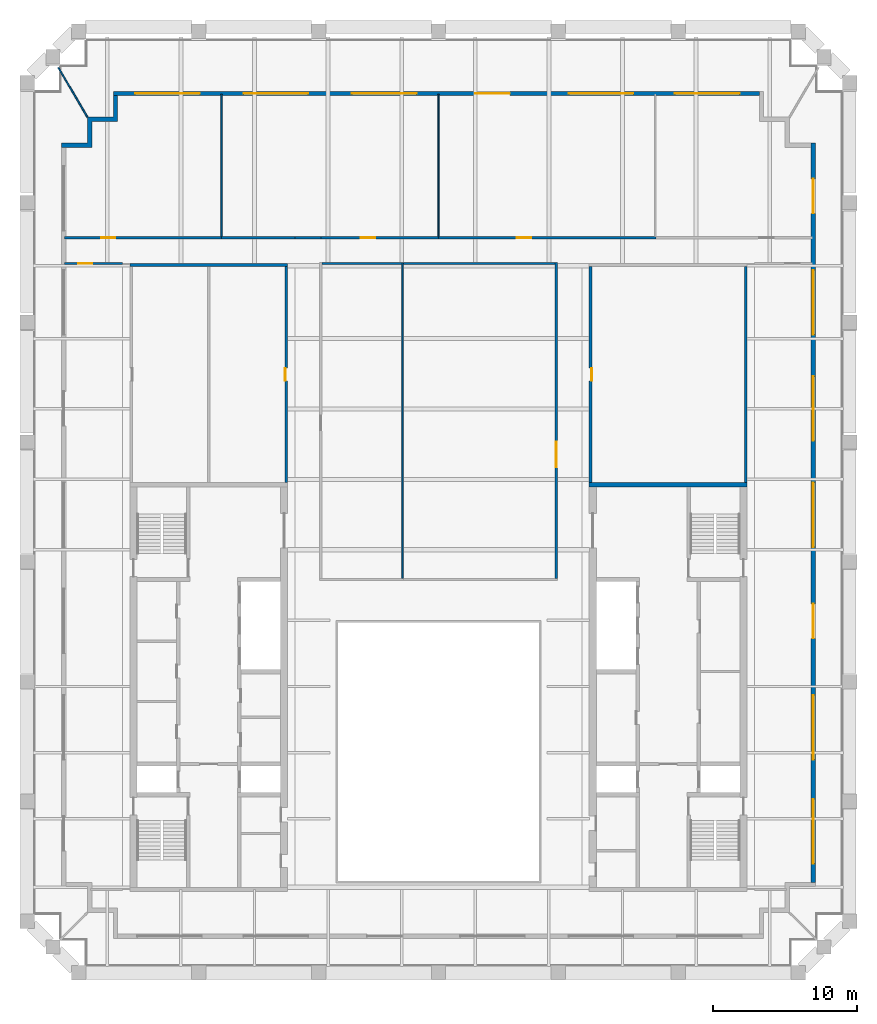
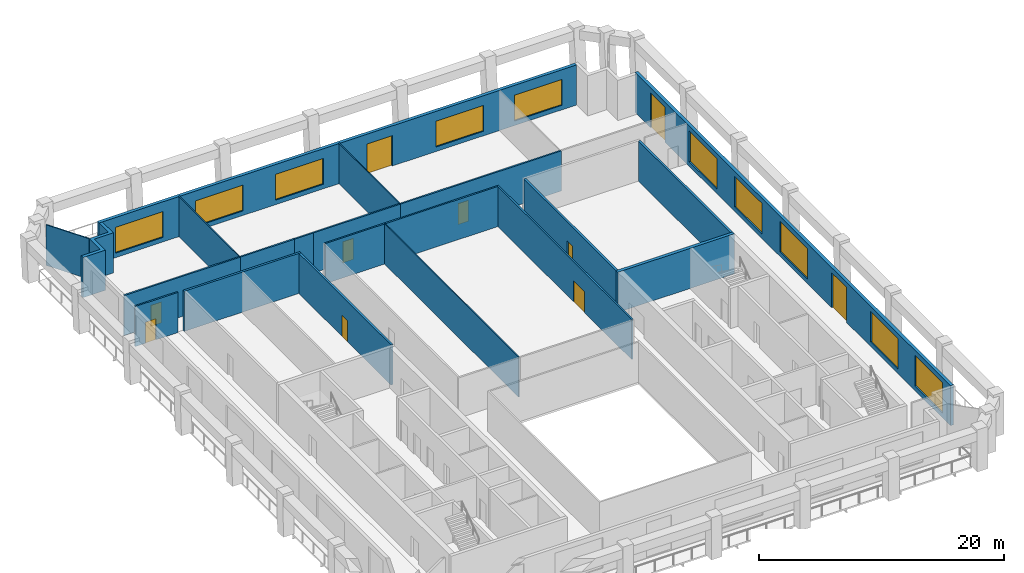
# One storey, part 5 of 7: 21 walls, 10 doors, 10 windows, 20 openings.
"""IFC4 building model written with IfcOpenShell, lengths in metres."""

from ifc_helpers import new_model, si_unit, direction, frame, frame_2d, origin, place, context, subcontext, project, spatial, polyline, rectangle, outline, extrude, material, layer, layer_set, type_object, element, fill, save


model = new_model("IFC4")

# Units and contexts
model_context = context("Model", 3, precision=1e-05, world=origin(), true_north=direction((0.0, 1.0)))
body_context = subcontext(model_context, "Body", "Model", "MODEL_VIEW")
ifc_project = project(units=[si_unit("LENGTHUNIT", "METRE"), si_unit("AREAUNIT", "SQUARE_METRE"), si_unit("VOLUMEUNIT", "CUBIC_METRE"), si_unit("PLANEANGLEUNIT", "RADIAN"), si_unit("MASSUNIT", "GRAM", prefix="KILO")], contexts=[model_context])

# Site, building, storey
site_placement = place(None, origin())
site = spatial("IfcSite", under=ifc_project, at=site_placement, CompositionType="ELEMENT")
building_placement = place(site_placement, origin())
building = spatial("IfcBuilding", under=site, at=building_placement, Name="Ogive Exchange Tower", CompositionType="ELEMENT")
storey_placement = place(building_placement, frame((0.0, 0.0, 321.60009765625)))
storey = spatial("IfcBuildingStorey", under=building, at=storey_placement, Name="L70", CompositionType="ELEMENT", Elevation=321.60009765625)

# Wall, opening, door
ifc_material_1 = material(Name="Fire partition EI 60 150")
ifc_layer_1 = layer(ifc_material_1, 0.14990234375)
ifc_layer_set_1 = layer_set([ifc_layer_1], Name="Fire partition EI 60 150")
wall_type_1 = type_object("IfcWallType", Name="Fire partition EI 60 150", PredefinedType="PARTITIONING", material=ifc_layer_set_1)
wall_1_placement = place(storey_placement, frame((-26.050048828125, 42.800048828125, 0.0), z_axis=(0.0, 0.0, 1.0), x_axis=(1.0, 0.0, 0.0)))
wall_1 = element("IfcWall", 1, at=wall_1_placement, inside=storey, type_object=wall_type_1, Name="L70-PWL-001", PredefinedType="PARTITIONING", context=body_context, shape_type="SweptSolid", body=[
    extrude(rectangle(XDim=11.0, YDim=0.14990234375, at=frame_2d((5.5, 0.0))), origin(), (0.0, 0.0, 1.0), 4.0),
])
opening_1_placement = place(wall_1_placement, frame((2.550048828125, 0.0, 0.0)))
opening_1 = element("IfcOpeningElement", 2, at=opening_1_placement, cuts=wall_1, Name="Opening L70-I04", PredefinedType="OPENING", context=body_context, shape_type="SweptSolid", body=[
    extrude(rectangle(XDim=1.0, YDim=2.10009765625, at=frame_2d((0.5, 1.050048828125))), frame((0.0, 0.0849609375, 0.0), z_axis=(0.0, -1.0, 0.0), x_axis=(1.0, 0.0, 0.0)), (0.0, 0.0, 1.0), 0.169921875),
])
ifc_material_2 = material(Name="Fire door FD 30S 1000 x 2100")
door_type_1 = type_object("IfcDoorType", Name="Fire door FD 30S 1000 x 2100", OperationType="NOTDEFINED", PredefinedType="DOOR", material=ifc_material_2)
door_1_placement = place(opening_1_placement, origin())
door_1 = element("IfcDoor", 3, at=door_1_placement, inside=storey, type_object=door_type_1, Name="L70-IDR-004", ObjectType="DT3", OperationType="SINGLE_SWING_RIGHT", OverallHeight=2.10009765625, OverallWidth=1.0, PredefinedType="DOOR", context=body_context, shape_type="SweptSolid", body=[
    extrude(rectangle(XDim=1.0, YDim=2.10009765625, at=frame_2d((0.5, 1.050048828125))), frame((0.0, 0.02490234375, 0.0), z_axis=(0.0, -1.0, 0.0), x_axis=(1.0, 0.0, 0.0)), (0.0, 0.0, 1.0), 0.050048828125),
])
fill(opening_1, door_1)

wall_2_placement = place(storey_placement, frame((-22.0, 41.0, 0.0), z_axis=(0.0, 0.0, 1.0), x_axis=(-1.0, 0.0, 0.0)))
wall_2 = element("IfcWall", 4, at=wall_2_placement, inside=storey, type_object=wall_type_1, Name="L70-PWL-003", PredefinedType="PARTITIONING", context=body_context, shape_type="SweptSolid", body=[
    extrude(rectangle(XDim=4.050048828125, YDim=0.14990234375, at=frame_2d((2.02490234375, 0.0))), origin(), (0.0, 0.0, 1.0), 4.0),
])
opening_2_placement = place(wall_2_placement, frame((2.10009765625, 0.0, 0.0)))
opening_2 = element("IfcOpeningElement", 5, at=opening_2_placement, cuts=wall_2, Name="Opening L70-I07", PredefinedType="OPENING", context=body_context, shape_type="SweptSolid", body=[
    extrude(rectangle(XDim=1.0, YDim=2.10009765625, at=frame_2d((0.5, 1.050048828125))), frame((0.0, 0.0849609375, 0.0), z_axis=(0.0, -1.0, 0.0), x_axis=(1.0, 0.0, 0.0)), (0.0, 0.0, 1.0), 0.169921875),
])
door_2_placement = place(opening_2_placement, origin())
door_2 = element("IfcDoor", 6, at=door_2_placement, inside=storey, type_object=door_type_1, Name="L70-IDR-007", ObjectType="DT3", OperationType="SINGLE_SWING_LEFT", OverallHeight=2.10009765625, OverallWidth=1.0, PredefinedType="DOOR", context=body_context, shape_type="SweptSolid", body=[
    extrude(rectangle(XDim=1.0, YDim=2.10009765625, at=frame_2d((0.5, 1.050048828125))), frame((0.0, 0.02490234375, 0.0), z_axis=(0.0, -1.0, 0.0), x_axis=(1.0, 0.0, 0.0)), (0.0, 0.0, 1.0), 0.050048828125),
])
fill(opening_2, door_2)

# Walls
wall_3_placement = place(storey_placement, frame((-15.10009765625, 42.800048828125, 0.0), z_axis=(0.0, 0.0, 1.0), x_axis=(1.0, 0.0, 0.0)))
element("IfcWall", 7, at=wall_3_placement, inside=storey, type_object=wall_type_1, Name="L70-PWL-005", PredefinedType="PARTITIONING", context=body_context, shape_type="SweptSolid", body=[
    extrude(rectangle(XDim=5.10009765625, YDim=0.14990234375, at=frame_2d((2.550048828125, 0.0))), origin(), (0.0, 0.0, 1.0), 4.0),
])
wall_4_placement = place(storey_placement, frame((-10.0, 42.800048828125, 0.0), z_axis=(0.0, 0.0, 1.0), x_axis=(1.0, 0.0, 0.0)))
element("IfcWall", 8, at=wall_4_placement, inside=storey, type_object=wall_type_1, Name="L70-PWL-006", PredefinedType="PARTITIONING", context=body_context, shape_type="SweptSolid", body=[
    extrude(rectangle(XDim=1.800048828125, YDim=0.14990234375, at=frame_2d((0.89990234375, 0.0))), origin(), (0.0, 0.0, 1.0), 4.0),
])

# Wall, opening, door
wall_5_placement = place(storey_placement, frame((-8.199951171875, 42.800048828125, 0.0), z_axis=(0.0, 0.0, 1.0), x_axis=(1.0, 0.0, 0.0)))
wall_5 = element("IfcWall", 9, at=wall_5_placement, inside=storey, type_object=wall_type_1, Name="L70-PWL-009", PredefinedType="PARTITIONING", context=body_context, shape_type="SweptSolid", body=[
    extrude(rectangle(XDim=8.199951171875, YDim=0.14990234375, at=frame_2d((4.10009765625, 0.0))), origin(), (0.0, 0.0, 1.0), 4.0),
])
opening_3_placement = place(wall_5_placement, frame((2.800048828125, 0.0, 0.0)))
opening_3 = element("IfcOpeningElement", 10, at=opening_3_placement, cuts=wall_5, Name="Opening L70-I03", PredefinedType="OPENING", context=body_context, shape_type="SweptSolid", body=[
    extrude(rectangle(XDim=1.0, YDim=2.10009765625, at=frame_2d((0.5, 1.050048828125))), frame((0.0, 0.0849609375, 0.0), z_axis=(0.0, -1.0, 0.0), x_axis=(1.0, 0.0, 0.0)), (0.0, 0.0, 1.0), 0.169921875),
])
door_3_placement = place(opening_3_placement, origin())
door_3 = element("IfcDoor", 11, at=door_3_placement, inside=storey, type_object=door_type_1, Name="L70-IDR-003", ObjectType="DT3", OperationType="SINGLE_SWING_LEFT", OverallHeight=2.10009765625, OverallWidth=1.0, PredefinedType="DOOR", context=body_context, shape_type="SweptSolid", body=[
    extrude(rectangle(XDim=1.0, YDim=2.10009765625, at=frame_2d((0.5, 1.050048828125))), frame((0.0, 0.02490234375, 0.0), z_axis=(0.0, -1.0, 0.0), x_axis=(1.0, 0.0, 0.0)), (0.0, 0.0, 1.0), 0.050048828125),
])
fill(opening_3, door_3)

# Wall
wall_6_placement = place(storey_placement, frame((-2.550048828125, 41.0, 0.0), z_axis=(0.0, 0.0, 1.0), x_axis=(-1.0, 0.0, 0.0)))
element("IfcWall", 12, at=wall_6_placement, inside=storey, type_object=wall_type_1, Name="L70-PWL-012", PredefinedType="PARTITIONING", context=body_context, shape_type="SweptSolid", body=[
    extrude(rectangle(XDim=5.574951171875, YDim=0.14990234375, at=frame_2d((2.78759765625, 0.0))), origin(), (0.0, 0.0, 1.0), 4.0),
])

# Wall, opening, door
wall_7_placement = place(storey_placement, frame((0.0, 42.800048828125, 0.0), z_axis=(0.0, 0.0, 1.0), x_axis=(1.0, 0.0, 0.0)))
wall_7 = element("IfcWall", 13, at=wall_7_placement, inside=storey, type_object=wall_type_1, Name="L70-PWL-014", PredefinedType="PARTITIONING", context=body_context, shape_type="SweptSolid", body=[
    extrude(rectangle(XDim=15.14990234375, YDim=0.14990234375, at=frame_2d((7.574951171875, 0.0))), origin(), (0.0, 0.0, 1.0), 4.0),
])
opening_4_placement = place(wall_7_placement, frame((5.449951171875, 0.0, 0.0)))
opening_4 = element("IfcOpeningElement", 14, at=opening_4_placement, cuts=wall_7, Name="Opening L70-I01", PredefinedType="OPENING", context=body_context, shape_type="SweptSolid", body=[
    extrude(rectangle(XDim=1.0, YDim=2.10009765625, at=frame_2d((0.5, 1.050048828125))), frame((0.0, 0.0849609375, 0.0), z_axis=(0.0, -1.0, 0.0), x_axis=(1.0, 0.0, 0.0)), (0.0, 0.0, 1.0), 0.169921875),
])
door_4_placement = place(opening_4_placement, origin())
door_4 = element("IfcDoor", 15, at=door_4_placement, inside=storey, type_object=door_type_1, Name="L70-IDR-001", ObjectType="DT3", OperationType="SINGLE_SWING_LEFT", OverallHeight=2.10009765625, OverallWidth=1.0, PredefinedType="DOOR", context=body_context, shape_type="SweptSolid", body=[
    extrude(rectangle(XDim=1.0, YDim=2.10009765625, at=frame_2d((0.5, 1.050048828125))), frame((0.0, 0.02490234375, 0.0), z_axis=(0.0, -1.0, 0.0), x_axis=(1.0, 0.0, 0.0)), (0.0, 0.0, 1.0), 0.050048828125),
])
fill(opening_4, door_4)

wall_8_placement = place(storey_placement, frame((8.199951171875, 19.074951171875, 0.0), z_axis=(0.0, 0.0, 1.0), x_axis=(0.0, 1.0, 0.0)))
wall_8 = element("IfcWall", 16, at=wall_8_placement, inside=storey, type_object=wall_type_1, Name="L70-PWL-015", PredefinedType="PARTITIONING", context=body_context, shape_type="SweptSolid", body=[
    extrude(rectangle(XDim=22.0, YDim=0.14990234375, at=frame_2d((11.0, 0.0))), origin(), (0.0, 0.0, 1.0), 4.0),
])
opening_5_placement = place(wall_8_placement, frame((7.72509765625, 0.0, 0.0)))
opening_5 = element("IfcOpeningElement", 17, at=opening_5_placement, cuts=wall_8, Name="Opening L70-I05", PredefinedType="OPENING", context=body_context, shape_type="SweptSolid", body=[
    extrude(rectangle(XDim=1.800048828125, YDim=2.10009765625, at=frame_2d((0.89990234375, 1.050048828125))), frame((0.0, 0.0849609375, 0.0), z_axis=(0.0, -1.0, 0.0), x_axis=(1.0, 0.0, 0.0)), (0.0, 0.0, 1.0), 0.169921875),
])
ifc_material_3 = material(Name="Fire door FD 30S 1800 x 2100")
door_type_2 = type_object("IfcDoorType", Name="Fire door FD 30S 1800 x 2100", OperationType="DOUBLE_DOOR_SINGLE_SWING", PredefinedType="DOOR", material=ifc_material_3)
door_5_placement = place(opening_5_placement, origin())
door_5 = element("IfcDoor", 18, at=door_5_placement, inside=storey, type_object=door_type_2, Name="L70-IDR-005", ObjectType="DT4", OperationType="SINGLE_SWING_RIGHT", OverallHeight=2.10009765625, OverallWidth=1.800048828125, PredefinedType="DOOR", context=body_context, shape_type="SweptSolid", body=[
    extrude(rectangle(XDim=1.800048828125, YDim=2.10009765625, at=frame_2d((0.89990234375, 1.050048828125))), frame((0.0, 0.02490234375, 0.0), z_axis=(0.0, -1.0, 0.0), x_axis=(1.0, 0.0, 0.0)), (0.0, 0.0, 1.0), 0.050048828125),
])
fill(opening_5, door_5)

# Wall
wall_9_placement = place(storey_placement, frame((8.125, 41.0, 0.0), z_axis=(0.0, 0.0, 1.0), x_axis=(-1.0, 0.0, 0.0)))
element("IfcWall", 19, at=wall_9_placement, inside=storey, type_object=wall_type_1, Name="L70-PWL-016", PredefinedType="PARTITIONING", context=body_context, shape_type="SweptSolid", body=[
    extrude(rectangle(XDim=10.574951171875, YDim=0.14990234375, at=frame_2d((5.28759765625, 0.0))), origin(), (0.0, 0.0, 1.0), 4.0),
])

# Wall, openings, doors, windows
ifc_material_4 = material(Name="Precast concrete C40/50", Category="concrete")
ifc_layer_2 = layer(ifc_material_4, 0.300048828125)
ifc_layer_set_2 = layer_set([ifc_layer_2], Name="Limestone-faced wall 300")
wall_type_2 = type_object("IfcWallType", Name="Limestone-faced wall 300", PredefinedType="STANDARD", material=ifc_layer_set_2)
wall_10_placement = place(storey_placement, frame((26.10009765625, -2.10009765625, 0.0), z_axis=(0.0, 0.0, 1.0), x_axis=(0.0, 1.0, 0.0)))
wall_10 = element("IfcWall", 20, at=wall_10_placement, inside=storey, type_object=wall_type_2, Name="External wall E2", PredefinedType="STANDARD", context=body_context, shape_type="SweptSolid", body=[
    extrude(rectangle(XDim=51.5, YDim=0.300048828125, at=frame_2d((25.75, 0.0))), origin(), (0.0, 0.0, 1.0), 4.0),
])
opening_6_placement = place(wall_10_placement, frame((1.300048828125, 0.0, 0.449951171875)))
opening_6 = element("IfcOpeningElement", 21, at=opening_6_placement, cuts=wall_10, Name="Opening W1", PredefinedType="OPENING", context=body_context, shape_type="SweptSolid", body=[
    extrude(rectangle(XDim=4.5, YDim=3.050048828125, at=frame_2d((2.25, 1.52490234375))), frame((0.0, 0.159912109375, 0.0), z_axis=(0.0, -1.0, 0.0), x_axis=(1.0, 0.0, 0.0)), (0.0, 0.0, 1.0), 0.320068359375),
])
opening_7_placement = place(wall_10_placement, frame((8.550048828125, 0.0, 0.449951171875)))
opening_7 = element("IfcOpeningElement", 22, at=opening_7_placement, cuts=wall_10, Name="Opening W1", PredefinedType="OPENING", context=body_context, shape_type="SweptSolid", body=[
    extrude(rectangle(XDim=4.5, YDim=3.050048828125, at=frame_2d((2.25, 1.52490234375))), frame((0.0, 0.159912109375, 0.0), z_axis=(0.0, -1.0, 0.0), x_axis=(1.0, 0.0, 0.0)), (0.0, 0.0, 1.0), 0.320068359375),
])
opening_8_placement = place(wall_10_placement, frame((17.0, 0.0, 0.0)))
opening_8 = element("IfcOpeningElement", 23, at=opening_8_placement, cuts=wall_10, Name="Opening D1", PredefinedType="OPENING", context=body_context, shape_type="SweptSolid", body=[
    extrude(rectangle(XDim=2.39990234375, YDim=3.5, at=frame_2d((1.199951171875, 1.75))), frame((0.0, 0.159912109375, 0.0), z_axis=(0.0, -1.0, 0.0), x_axis=(1.0, 0.0, 0.0)), (0.0, 0.0, 1.0), 0.320068359375),
])
opening_9_placement = place(wall_10_placement, frame((23.35009765625, 0.0, 0.449951171875)))
opening_9 = element("IfcOpeningElement", 24, at=opening_9_placement, cuts=wall_10, Name="Opening W1", PredefinedType="OPENING", context=body_context, shape_type="SweptSolid", body=[
    extrude(rectangle(XDim=4.5, YDim=3.050048828125, at=frame_2d((2.25, 1.52490234375))), frame((0.0, 0.159912109375, 0.0), z_axis=(0.0, -1.0, 0.0), x_axis=(1.0, 0.0, 0.0)), (0.0, 0.0, 1.0), 0.320068359375),
])
opening_10_placement = place(wall_10_placement, frame((30.75, 0.0, 0.449951171875)))
opening_10 = element("IfcOpeningElement", 25, at=opening_10_placement, cuts=wall_10, Name="Opening W1", PredefinedType="OPENING", context=body_context, shape_type="SweptSolid", body=[
    extrude(rectangle(XDim=4.5, YDim=3.050048828125, at=frame_2d((2.25, 1.52490234375))), frame((0.0, 0.159912109375, 0.0), z_axis=(0.0, -1.0, 0.0), x_axis=(1.0, 0.0, 0.0)), (0.0, 0.0, 1.0), 0.320068359375),
])
opening_11_placement = place(wall_10_placement, frame((38.14990234375, 0.0, 0.449951171875)))
opening_11 = element("IfcOpeningElement", 26, at=opening_11_placement, cuts=wall_10, Name="Opening W1", PredefinedType="OPENING", context=body_context, shape_type="SweptSolid", body=[
    extrude(rectangle(XDim=4.5, YDim=3.050048828125, at=frame_2d((2.25, 1.52490234375))), frame((0.0, 0.159912109375, 0.0), z_axis=(0.0, -1.0, 0.0), x_axis=(1.0, 0.0, 0.0)), (0.0, 0.0, 1.0), 0.320068359375),
])
opening_12_placement = place(wall_10_placement, frame((46.60009765625, 0.0, 0.0)))
opening_12 = element("IfcOpeningElement", 27, at=opening_12_placement, cuts=wall_10, Name="Opening D1", PredefinedType="OPENING", context=body_context, shape_type="SweptSolid", body=[
    extrude(rectangle(XDim=2.39990234375, YDim=3.5, at=frame_2d((1.199951171875, 1.75))), frame((0.0, 0.159912109375, 0.0), z_axis=(0.0, -1.0, 0.0), x_axis=(1.0, 0.0, 0.0)), (0.0, 0.0, 1.0), 0.320068359375),
])
ifc_material_5 = material(Name="Clear glass in bronze frame", Category="glass")
door_type_3 = type_object("IfcDoorType", Name="Sliding loggia door 2400 x 3500", OperationType="DOUBLE_DOOR_SLIDING", PredefinedType="DOOR", material=ifc_material_5)
door_6_placement = place(opening_8_placement, origin())
door_6 = element("IfcDoor", 28, at=door_6_placement, inside=storey, type_object=door_type_3, Name="Loggia door E02", OperationType="DOUBLE_DOOR_SLIDING", OverallHeight=3.5, OverallWidth=2.39990234375, PredefinedType="DOOR", context=body_context, shape_type="SweptSolid", body=[
    extrude(rectangle(XDim=2.39990234375, YDim=3.5, at=frame_2d((1.199951171875, 1.75))), frame((0.0, 0.02490234375, 0.0), z_axis=(0.0, -1.0, 0.0), x_axis=(1.0, 0.0, 0.0)), (0.0, 0.0, 1.0), 0.050048828125),
])
fill(opening_8, door_6)
door_7_placement = place(opening_12_placement, origin())
door_7 = element("IfcDoor", 29, at=door_7_placement, inside=storey, type_object=door_type_3, Name="Loggia door E06", OperationType="DOUBLE_DOOR_SLIDING", OverallHeight=3.5, OverallWidth=2.39990234375, PredefinedType="DOOR", context=body_context, shape_type="SweptSolid", body=[
    extrude(rectangle(XDim=2.39990234375, YDim=3.5, at=frame_2d((1.199951171875, 1.75))), frame((0.0, 0.02490234375, 0.0), z_axis=(0.0, -1.0, 0.0), x_axis=(1.0, 0.0, 0.0)), (0.0, 0.0, 1.0), 0.050048828125),
])
fill(opening_12, door_7)
window_type_1 = type_object("IfcWindowType", Name="Twin lancet window 4500 x 3050", PartitioningType="DOUBLE_PANEL_VERTICAL", PredefinedType="WINDOW", material=ifc_material_5)
window_1_placement = place(opening_6_placement, origin())
window_1 = element("IfcWindow", 30, at=window_1_placement, inside=storey, type_object=window_type_1, Name="Window E00", OverallHeight=3.050048828125, OverallWidth=4.5, PartitioningType="DOUBLE_PANEL_VERTICAL", PredefinedType="WINDOW", context=body_context, shape_type="SweptSolid", body=[
    extrude(rectangle(XDim=4.5, YDim=3.050048828125, at=frame_2d((2.25, 1.52490234375))), frame((0.0, 0.030029296875, 0.0), z_axis=(0.0, -1.0, 0.0), x_axis=(1.0, 0.0, 0.0)), (0.0, 0.0, 1.0), 0.06005859375),
])
fill(opening_6, window_1)
window_2_placement = place(opening_7_placement, origin())
window_2 = element("IfcWindow", 31, at=window_2_placement, inside=storey, type_object=window_type_1, Name="Window E01", OverallHeight=3.050048828125, OverallWidth=4.5, PartitioningType="DOUBLE_PANEL_VERTICAL", PredefinedType="WINDOW", context=body_context, shape_type="SweptSolid", body=[
    extrude(rectangle(XDim=4.5, YDim=3.050048828125, at=frame_2d((2.25, 1.52490234375))), frame((0.0, 0.030029296875, 0.0), z_axis=(0.0, -1.0, 0.0), x_axis=(1.0, 0.0, 0.0)), (0.0, 0.0, 1.0), 0.06005859375),
])
fill(opening_7, window_2)
window_3_placement = place(opening_9_placement, origin())
window_3 = element("IfcWindow", 32, at=window_3_placement, inside=storey, type_object=window_type_1, Name="Window E03", OverallHeight=3.050048828125, OverallWidth=4.5, PartitioningType="DOUBLE_PANEL_VERTICAL", PredefinedType="WINDOW", context=body_context, shape_type="SweptSolid", body=[
    extrude(rectangle(XDim=4.5, YDim=3.050048828125, at=frame_2d((2.25, 1.52490234375))), frame((0.0, 0.030029296875, 0.0), z_axis=(0.0, -1.0, 0.0), x_axis=(1.0, 0.0, 0.0)), (0.0, 0.0, 1.0), 0.06005859375),
])
fill(opening_9, window_3)
window_4_placement = place(opening_10_placement, origin())
window_4 = element("IfcWindow", 33, at=window_4_placement, inside=storey, type_object=window_type_1, Name="Window E04", OverallHeight=3.050048828125, OverallWidth=4.5, PartitioningType="DOUBLE_PANEL_VERTICAL", PredefinedType="WINDOW", context=body_context, shape_type="SweptSolid", body=[
    extrude(rectangle(XDim=4.5, YDim=3.050048828125, at=frame_2d((2.25, 1.52490234375))), frame((0.0, 0.030029296875, 0.0), z_axis=(0.0, -1.0, 0.0), x_axis=(1.0, 0.0, 0.0)), (0.0, 0.0, 1.0), 0.06005859375),
])
fill(opening_10, window_4)
window_5_placement = place(opening_11_placement, origin())
window_5 = element("IfcWindow", 34, at=window_5_placement, inside=storey, type_object=window_type_1, Name="Window E05", OverallHeight=3.050048828125, OverallWidth=4.5, PartitioningType="DOUBLE_PANEL_VERTICAL", PredefinedType="WINDOW", context=body_context, shape_type="SweptSolid", body=[
    extrude(rectangle(XDim=4.5, YDim=3.050048828125, at=frame_2d((2.25, 1.52490234375))), frame((0.0, 0.030029296875, 0.0), z_axis=(0.0, -1.0, 0.0), x_axis=(1.0, 0.0, 0.0)), (0.0, 0.0, 1.0), 0.06005859375),
])
fill(opening_11, window_5)

# Wall, openings, door, windows
wall_11_placement = place(storey_placement, frame((22.35009765625, 52.85009765625, 0.0), z_axis=(0.0, 0.0, 1.0), x_axis=(-1.0, 0.0, 0.0)))
wall_11 = element("IfcWall", 35, at=wall_11_placement, inside=storey, type_object=wall_type_2, Name="External wall N3", PredefinedType="STANDARD", context=body_context, shape_type="SweptSolid", body=[
    extrude(rectangle(XDim=45.0, YDim=0.300048828125, at=frame_2d((22.5, 0.0))), origin(), (0.0, 0.0, 1.0), 4.0),
])
opening_13_placement = place(wall_11_placement, frame((1.375, 0.0, 0.449951171875)))
opening_13 = element("IfcOpeningElement", 36, at=opening_13_placement, cuts=wall_11, Name="Opening W1M", PredefinedType="OPENING", context=body_context, shape_type="SweptSolid", body=[
    extrude(rectangle(XDim=4.5, YDim=2.574951171875, at=frame_2d((2.25, 1.28759765625))), frame((0.0, 0.159912109375, 0.0), z_axis=(0.0, -1.0, 0.0), x_axis=(1.0, 0.0, 0.0)), (0.0, 0.0, 1.0), 0.320068359375),
])
opening_14_placement = place(wall_11_placement, frame((8.77490234375, 0.0, 0.449951171875)))
opening_14 = element("IfcOpeningElement", 37, at=opening_14_placement, cuts=wall_11, Name="Opening W1M", PredefinedType="OPENING", context=body_context, shape_type="SweptSolid", body=[
    extrude(rectangle(XDim=4.5, YDim=2.574951171875, at=frame_2d((2.25, 1.28759765625))), frame((0.0, 0.159912109375, 0.0), z_axis=(0.0, -1.0, 0.0), x_axis=(1.0, 0.0, 0.0)), (0.0, 0.0, 1.0), 0.320068359375),
])
opening_15_placement = place(wall_11_placement, frame((17.375, 0.0, 0.0)))
opening_15 = element("IfcOpeningElement", 38, at=opening_15_placement, cuts=wall_11, Name="Opening D1M", PredefinedType="OPENING", context=body_context, shape_type="SweptSolid", body=[
    extrude(rectangle(XDim=2.39990234375, YDim=3.02490234375, at=frame_2d((1.199951171875, 1.512451171875))), frame((0.0, 0.159912109375, 0.0), z_axis=(0.0, -1.0, 0.0), x_axis=(1.0, 0.0, 0.0)), (0.0, 0.0, 1.0), 0.320068359375),
])
opening_16_placement = place(wall_11_placement, frame((23.875, 0.0, 0.449951171875)))
opening_16 = element("IfcOpeningElement", 39, at=opening_16_placement, cuts=wall_11, Name="Opening W1M", PredefinedType="OPENING", context=body_context, shape_type="SweptSolid", body=[
    extrude(rectangle(XDim=4.5, YDim=2.574951171875, at=frame_2d((2.25, 1.28759765625))), frame((0.0, 0.159912109375, 0.0), z_axis=(0.0, -1.0, 0.0), x_axis=(1.0, 0.0, 0.0)), (0.0, 0.0, 1.0), 0.320068359375),
])
opening_17_placement = place(wall_11_placement, frame((31.425048828125, 0.0, 0.449951171875)))
opening_17 = element("IfcOpeningElement", 40, at=opening_17_placement, cuts=wall_11, Name="Opening W1M", PredefinedType="OPENING", context=body_context, shape_type="SweptSolid", body=[
    extrude(rectangle(XDim=4.5, YDim=2.574951171875, at=frame_2d((2.25, 1.28759765625))), frame((0.0, 0.159912109375, 0.0), z_axis=(0.0, -1.0, 0.0), x_axis=(1.0, 0.0, 0.0)), (0.0, 0.0, 1.0), 0.320068359375),
])
opening_18_placement = place(wall_11_placement, frame((38.97509765625, 0.0, 0.449951171875)))
opening_18 = element("IfcOpeningElement", 41, at=opening_18_placement, cuts=wall_11, Name="Opening W1M", PredefinedType="OPENING", context=body_context, shape_type="SweptSolid", body=[
    extrude(rectangle(XDim=4.5, YDim=2.574951171875, at=frame_2d((2.25, 1.28759765625))), frame((0.0, 0.159912109375, 0.0), z_axis=(0.0, -1.0, 0.0), x_axis=(1.0, 0.0, 0.0)), (0.0, 0.0, 1.0), 0.320068359375),
])
door_type_4 = type_object("IfcDoorType", Name="Sliding loggia door 2400 x 3025", OperationType="DOUBLE_DOOR_SLIDING", PredefinedType="DOOR", material=ifc_material_5)
door_8_placement = place(opening_15_placement, origin())
door_8 = element("IfcDoor", 42, at=door_8_placement, inside=storey, type_object=door_type_4, Name="Loggia door N02", OperationType="DOUBLE_DOOR_SLIDING", OverallHeight=3.02490234375, OverallWidth=2.39990234375, PredefinedType="DOOR", context=body_context, shape_type="SweptSolid", body=[
    extrude(rectangle(XDim=2.39990234375, YDim=3.02490234375, at=frame_2d((1.199951171875, 1.512451171875))), frame((0.0, 0.02490234375, 0.0), z_axis=(0.0, -1.0, 0.0), x_axis=(1.0, 0.0, 0.0)), (0.0, 0.0, 1.0), 0.050048828125),
])
fill(opening_15, door_8)
window_type_2 = type_object("IfcWindowType", Name="Twin lancet window 4500 x 2575", PartitioningType="DOUBLE_PANEL_VERTICAL", PredefinedType="WINDOW", material=ifc_material_5)
window_6_placement = place(opening_13_placement, origin())
window_6 = element("IfcWindow", 43, at=window_6_placement, inside=storey, type_object=window_type_2, Name="Window N00", OverallHeight=2.574951171875, OverallWidth=4.5, PartitioningType="DOUBLE_PANEL_VERTICAL", PredefinedType="WINDOW", context=body_context, shape_type="SweptSolid", body=[
    extrude(rectangle(XDim=4.5, YDim=2.574951171875, at=frame_2d((2.25, 1.28759765625))), frame((0.0, 0.030029296875, 0.0), z_axis=(0.0, -1.0, 0.0), x_axis=(1.0, 0.0, 0.0)), (0.0, 0.0, 1.0), 0.06005859375),
])
fill(opening_13, window_6)
window_7_placement = place(opening_14_placement, origin())
window_7 = element("IfcWindow", 44, at=window_7_placement, inside=storey, type_object=window_type_2, Name="Window N01", OverallHeight=2.574951171875, OverallWidth=4.5, PartitioningType="DOUBLE_PANEL_VERTICAL", PredefinedType="WINDOW", context=body_context, shape_type="SweptSolid", body=[
    extrude(rectangle(XDim=4.5, YDim=2.574951171875, at=frame_2d((2.25, 1.28759765625))), frame((0.0, 0.030029296875, 0.0), z_axis=(0.0, -1.0, 0.0), x_axis=(1.0, 0.0, 0.0)), (0.0, 0.0, 1.0), 0.06005859375),
])
fill(opening_14, window_7)
window_8_placement = place(opening_16_placement, origin())
window_8 = element("IfcWindow", 45, at=window_8_placement, inside=storey, type_object=window_type_2, Name="Window N03", OverallHeight=2.574951171875, OverallWidth=4.5, PartitioningType="DOUBLE_PANEL_VERTICAL", PredefinedType="WINDOW", context=body_context, shape_type="SweptSolid", body=[
    extrude(rectangle(XDim=4.5, YDim=2.574951171875, at=frame_2d((2.25, 1.28759765625))), frame((0.0, 0.030029296875, 0.0), z_axis=(0.0, -1.0, 0.0), x_axis=(1.0, 0.0, 0.0)), (0.0, 0.0, 1.0), 0.06005859375),
])
fill(opening_16, window_8)
window_9_placement = place(opening_17_placement, origin())
window_9 = element("IfcWindow", 46, at=window_9_placement, inside=storey, type_object=window_type_2, Name="Window N04", OverallHeight=2.574951171875, OverallWidth=4.5, PartitioningType="DOUBLE_PANEL_VERTICAL", PredefinedType="WINDOW", context=body_context, shape_type="SweptSolid", body=[
    extrude(rectangle(XDim=4.5, YDim=2.574951171875, at=frame_2d((2.25, 1.28759765625))), frame((0.0, 0.030029296875, 0.0), z_axis=(0.0, -1.0, 0.0), x_axis=(1.0, 0.0, 0.0)), (0.0, 0.0, 1.0), 0.06005859375),
])
fill(opening_17, window_9)
window_10_placement = place(opening_18_placement, origin())
window_10 = element("IfcWindow", 47, at=window_10_placement, inside=storey, type_object=window_type_2, Name="Window N05", OverallHeight=2.574951171875, OverallWidth=4.5, PartitioningType="DOUBLE_PANEL_VERTICAL", PredefinedType="WINDOW", context=body_context, shape_type="SweptSolid", body=[
    extrude(rectangle(XDim=4.5, YDim=2.574951171875, at=frame_2d((2.25, 1.28759765625))), frame((0.0, 0.030029296875, 0.0), z_axis=(0.0, -1.0, 0.0), x_axis=(1.0, 0.0, 0.0)), (0.0, 0.0, 1.0), 0.06005859375),
])
fill(opening_18, window_10)

# Walls
wall_12_placement = place(storey_placement, origin())
element("IfcWall", 48, at=wall_12_placement, inside=storey, type_object=wall_type_2, Name="External corner wall C3", PredefinedType="STANDARD", context=body_context, shape_type="SweptSolid", body=[
    extrude(outline(polyline([(-24.449951171875, 49.39990234375), (-24.449951171875, 51.199951171875), (-22.64990234375, 51.199951171875), (-22.64990234375, 52.699951171875), (-22.35009765625, 52.699951171875), (-22.35009765625, 50.89990234375), (-24.14990234375, 50.89990234375), (-24.14990234375, 49.10009765625), (-26.25, 49.10009765625), (-26.25, 49.39990234375), (-24.449951171875, 49.39990234375)])), origin(), (0.0, 0.0, 1.0), 4.0),
])
ifc_material_6 = material(Name="Laminated safety glass in steel frame", Category="steel")
ifc_layer_3 = layer(ifc_material_6, 0.10009765625)
ifc_layer_set_3 = layer_set([ifc_layer_3], Name="Loggia end screen 100")
wall_type_3 = type_object("IfcWallType", Name="Loggia end screen 100", PredefinedType="STANDARD", material=ifc_layer_set_3)
wall_13_placement = place(storey_placement, frame((-24.449951171875, 51.199951171875, -0.050048828125), z_axis=(0.0, 0.0, 1.0), x_axis=(-0.506031495682, 0.862515000089, 0.0)))
element("IfcWall", 49, at=wall_13_placement, inside=storey, type_object=wall_type_3, Name="Loggia end screen C3", PredefinedType="STANDARD", context=body_context, shape_type="SweptSolid", body=[
    extrude(rectangle(XDim=4.01611328125, YDim=0.10009765625, at=frame_2d((2.008056640625, 0.0))), origin(), (0.0, 0.0, 1.0), 4.050048828125),
])
ifc_material_7 = material(Name="Partition 100 gypsum")
ifc_layer_4 = layer(ifc_material_7, 0.10009765625)
ifc_layer_set_4 = layer_set([ifc_layer_4], Name="Partition 100 gypsum")
wall_type_4 = type_object("IfcWallType", Name="Partition 100 gypsum", PredefinedType="PARTITIONING", material=ifc_layer_set_4)
wall_14_placement = place(storey_placement, frame((-15.10009765625, 42.875, 0.0), z_axis=(0.0, 0.0, 1.0), x_axis=(0.0, 1.0, 0.0)))
element("IfcWall", 50, at=wall_14_placement, inside=storey, type_object=wall_type_4, Name="L70-PWL-004", PredefinedType="PARTITIONING", context=body_context, shape_type="SweptSolid", body=[
    extrude(rectangle(XDim=9.925048828125, YDim=0.10009765625, at=frame_2d((4.96240234375, 0.0))), origin(), (0.0, 0.0, 1.0), 4.0),
])
wall_15_placement = place(storey_placement, frame((-2.5, 19.074951171875, 0.0), z_axis=(0.0, 0.0, 1.0), x_axis=(0.0, 1.0, 0.0)))
element("IfcWall", 51, at=wall_15_placement, inside=storey, type_object=wall_type_4, Name="L70-PWL-010", PredefinedType="PARTITIONING", context=body_context, shape_type="SweptSolid", body=[
    extrude(rectangle(XDim=22.0, YDim=0.10009765625, at=frame_2d((11.0, 0.0))), origin(), (0.0, 0.0, 1.0), 4.0),
])
wall_16_placement = place(storey_placement, frame((0.0, 42.875, 0.0), z_axis=(0.0, 0.0, 1.0), x_axis=(0.0, 1.0, 0.0)))
element("IfcWall", 52, at=wall_16_placement, inside=storey, type_object=wall_type_4, Name="L70-PWL-013", PredefinedType="PARTITIONING", context=body_context, shape_type="SweptSolid", body=[
    extrude(rectangle(XDim=9.925048828125, YDim=0.10009765625, at=frame_2d((4.96240234375, 0.0))), origin(), (0.0, 0.0, 1.0), 4.0),
])

# Wall, opening, door
ifc_material_8 = material(Name="Concrete C70/85", Category="concrete")
ifc_layer_5 = layer(ifc_material_8, 0.199951171875)
ifc_layer_set_5 = layer_set([ifc_layer_5], Name="RC core wall 200 C70/85")
wall_type_5 = type_object("IfcWallType", Name="RC core wall 200 C70/85", PredefinedType="SHEAR", material=ifc_layer_set_5)
wall_17_placement = place(storey_placement, frame((-10.60009765625, 25.75, 0.0), z_axis=(0.0, 0.0, 1.0), x_axis=(0.0, 1.0, 0.0)))
wall_17 = element("IfcWall", 53, at=wall_17_placement, inside=storey, type_object=wall_type_5, Name="W annex N inner wall", PredefinedType="SHEAR", context=body_context, shape_type="SweptSolid", body=[
    extrude(rectangle(XDim=15.050048828125, YDim=0.199951171875, at=frame_2d((7.52490234375, 0.0))), origin(), (0.0, 0.0, 1.0), 4.0),
])
opening_19_placement = place(wall_17_placement, frame((7.074951171875, 0.0, 0.0)))
opening_19 = element("IfcOpeningElement", 54, at=opening_19_placement, cuts=wall_17, Name="Opening L70-C20", PredefinedType="OPENING", context=body_context, shape_type="SweptSolid", body=[
    extrude(rectangle(XDim=0.89990234375, YDim=2.10009765625, at=frame_2d((0.449951171875, 1.050048828125))), frame((0.0, 0.10986328125, 0.0), z_axis=(0.0, -1.0, 0.0), x_axis=(1.0, 0.0, 0.0)), (0.0, 0.0, 1.0), 0.219970703125),
])
ifc_material_9 = material(Name="Steel fire door", Category="steel")
door_type_5 = type_object("IfcDoorType", Name="Riser door FD60 900 x 2100", OperationType="NOTDEFINED", PredefinedType="DOOR", material=ifc_material_9)
door_9_placement = place(opening_19_placement, frame((0.89990234375, 0.14990234375, 0.0), z_axis=(0.0, 0.0, 1.0), x_axis=(-1.0, 0.0, 0.0)))
door_9 = element("IfcDoor", 55, at=door_9_placement, inside=storey, type_object=door_type_5, Name="Riser door", ObjectType="CD2", OperationType="SINGLE_SWING_RIGHT", OverallHeight=2.10009765625, OverallWidth=0.89990234375, PredefinedType="DOOR", context=body_context, shape_type="SweptSolid", body=[
    extrude(rectangle(XDim=0.89990234375, YDim=2.10009765625, at=frame_2d((0.449951171875, 1.050048828125))), frame((0.0, 0.10009765625, 0.0), z_axis=(0.0, -1.0, 0.0), x_axis=(1.0, 0.0, 0.0)), (0.0, 0.0, 1.0), 0.050048828125),
])
fill(opening_19, door_9)

# Walls
wall_18_placement = place(storey_placement, frame((-21.5, 40.89990234375, 0.0), z_axis=(0.0, 0.0, 1.0), x_axis=(1.0, 0.0, 0.0)))
element("IfcWall", 56, at=wall_18_placement, inside=storey, type_object=wall_type_5, Name="W annex N end wall", PredefinedType="SHEAR", context=body_context, shape_type="SweptSolid", body=[
    extrude(rectangle(XDim=11.0, YDim=0.199951171875, at=frame_2d((5.5, 0.0))), origin(), (0.0, 0.0, 1.0), 4.0),
])
wall_19_placement = place(storey_placement, frame((21.39990234375, 25.75, 0.0), z_axis=(0.0, 0.0, 1.0), x_axis=(0.0, 1.0, 0.0)))
element("IfcWall", 57, at=wall_19_placement, inside=storey, type_object=wall_type_5, Name="E annex N outer wall", PredefinedType="SHEAR", context=body_context, shape_type="SweptSolid", body=[
    extrude(rectangle(XDim=15.050048828125, YDim=0.199951171875, at=frame_2d((7.52490234375, 0.0))), origin(), (0.0, 0.0, 1.0), 4.0),
])

# Wall, opening, door
wall_20_placement = place(storey_placement, frame((10.60009765625, 25.75, 0.0), z_axis=(0.0, 0.0, 1.0), x_axis=(0.0, 1.0, 0.0)))
wall_20 = element("IfcWall", 58, at=wall_20_placement, inside=storey, type_object=wall_type_5, Name="E annex N inner wall", PredefinedType="SHEAR", context=body_context, shape_type="SweptSolid", body=[
    extrude(rectangle(XDim=15.050048828125, YDim=0.199951171875, at=frame_2d((7.52490234375, 0.0))), origin(), (0.0, 0.0, 1.0), 4.0),
])
opening_20_placement = place(wall_20_placement, frame((7.074951171875, 0.0, 0.0)))
opening_20 = element("IfcOpeningElement", 59, at=opening_20_placement, cuts=wall_20, Name="Opening L70-C37", PredefinedType="OPENING", context=body_context, shape_type="SweptSolid", body=[
    extrude(rectangle(XDim=0.89990234375, YDim=2.10009765625, at=frame_2d((0.449951171875, 1.050048828125))), frame((0.0, 0.10986328125, 0.0), z_axis=(0.0, -1.0, 0.0), x_axis=(1.0, 0.0, 0.0)), (0.0, 0.0, 1.0), 0.219970703125),
])
door_10_placement = place(opening_20_placement, origin())
door_10 = element("IfcDoor", 60, at=door_10_placement, inside=storey, type_object=door_type_5, Name="Riser door", ObjectType="CD2", OperationType="SINGLE_SWING_LEFT", OverallHeight=2.10009765625, OverallWidth=0.89990234375, PredefinedType="DOOR", context=body_context, shape_type="SweptSolid", body=[
    extrude(rectangle(XDim=0.89990234375, YDim=2.10009765625, at=frame_2d((0.449951171875, 1.050048828125))), frame((0.0, -0.0498046875, 0.0), z_axis=(0.0, -1.0, 0.0), x_axis=(1.0, 0.0, 0.0)), (0.0, 0.0, 1.0), 0.050048828125),
])
fill(opening_20, door_10)

# Wall
ifc_layer_6 = layer(ifc_material_8, 0.300048828125)
ifc_layer_set_6 = layer_set([ifc_layer_6], Name="RC core wall 300 C70/85")
wall_type_6 = type_object("IfcWallType", Name="RC core wall 300 C70/85", PredefinedType="SHEAR", material=ifc_layer_set_6)
wall_21_placement = place(storey_placement, frame((10.5, 25.60009765625, 0.0), z_axis=(0.0, 0.0, 1.0), x_axis=(1.0, 0.0, 0.0)))
element("IfcWall", 61, at=wall_21_placement, inside=storey, type_object=wall_type_6, Name="E north end wall", PredefinedType="SHEAR", context=body_context, shape_type="SweptSolid", body=[
    extrude(rectangle(XDim=11.0, YDim=0.300048828125, at=frame_2d((5.5, 0.0))), origin(), (0.0, 0.0, 1.0), 4.0),
])

save(model, "model.ifc")
